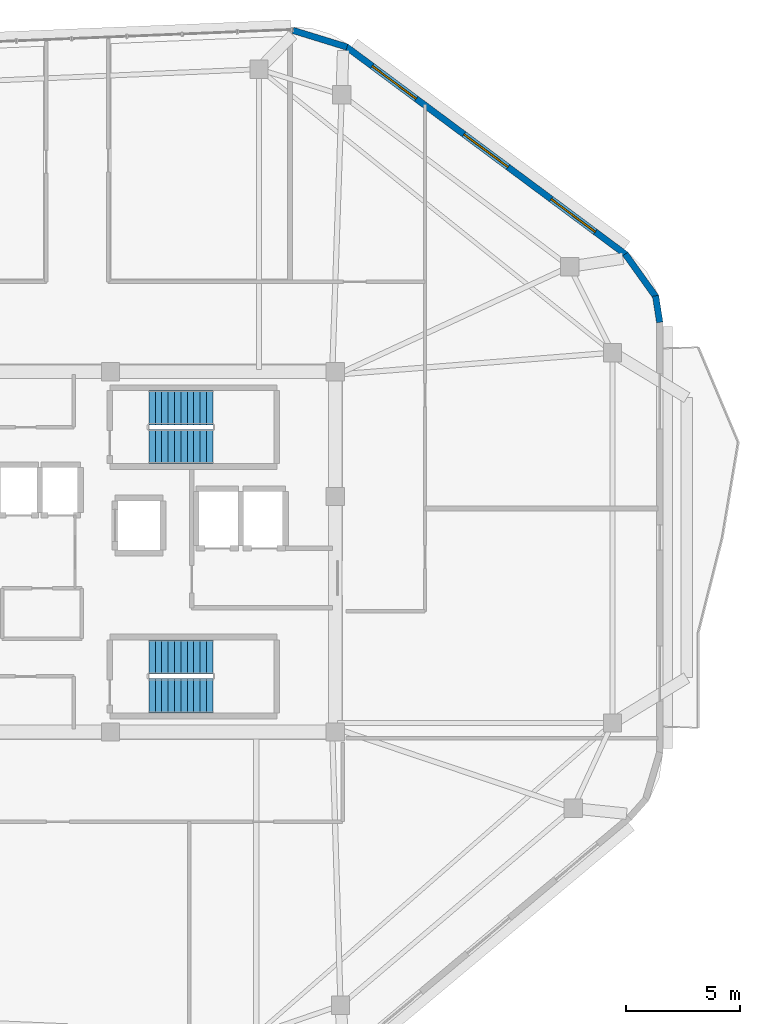
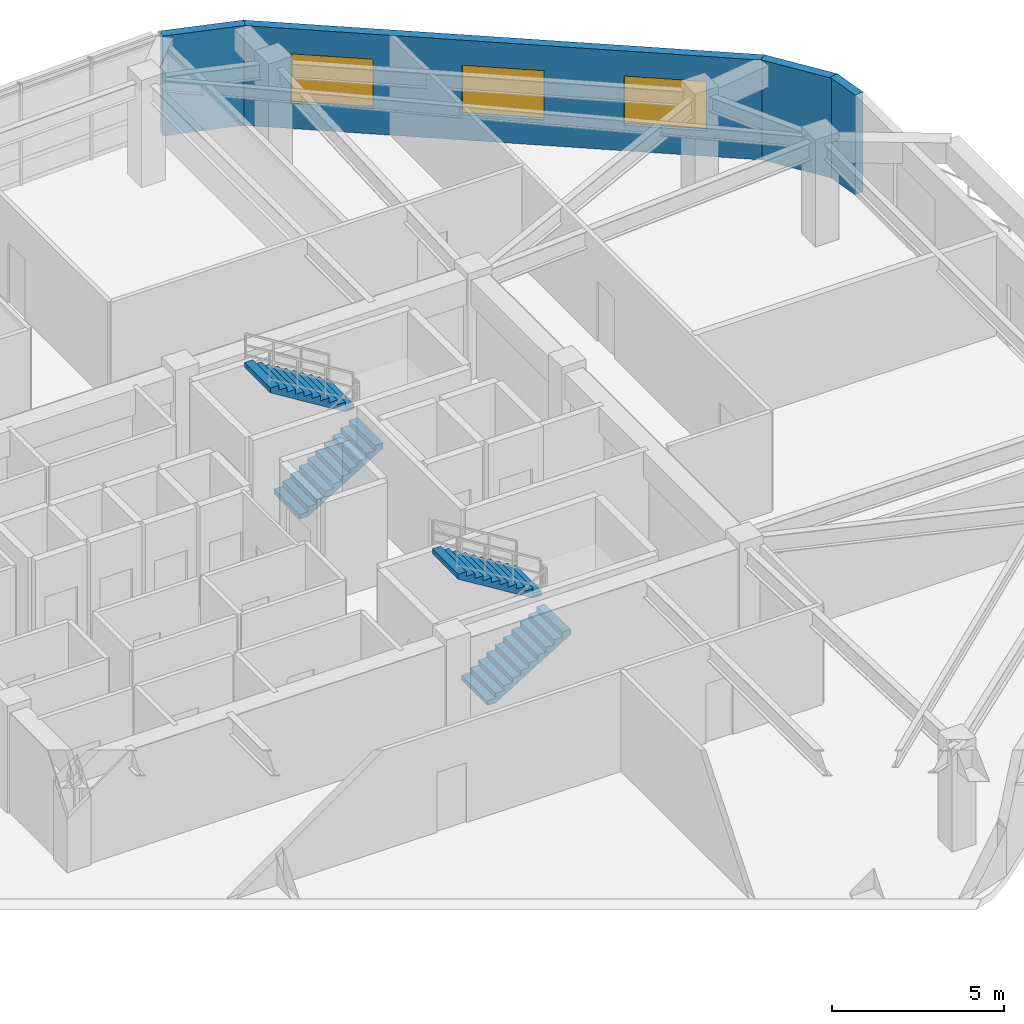
# One storey, part 9 of 12: 4 stair flights, 4 walls, 3 windows, 3 openings, 2 elements without a shape of their own.
"""IFC4 building model written with IfcOpenShell, lengths in metres."""

from ifc_helpers import new_model, si_unit, direction, frame, frame_2d, origin, place, context, subcontext, project, spatial, polyline, rectangle, outline, extrude, material, layer, layer_set, type_object, element, fill, aggregate, save


model = new_model("IFC4")

# Units and contexts
model_context = context("Model", 3, precision=1e-05, world=origin(), true_north=direction((0.0, 1.0)))
body_context = subcontext(model_context, "Body", "Model", "MODEL_VIEW")
ifc_project = project(units=[si_unit("LENGTHUNIT", "METRE"), si_unit("AREAUNIT", "SQUARE_METRE"), si_unit("VOLUMEUNIT", "CUBIC_METRE"), si_unit("PLANEANGLEUNIT", "RADIAN"), si_unit("MASSUNIT", "GRAM", prefix="KILO")], contexts=[model_context])

# Site, building, storey
site_placement = place(None, origin())
site = spatial("IfcSite", under=ifc_project, at=site_placement, CompositionType="ELEMENT")
building_placement = place(site_placement, origin())
building = spatial("IfcBuilding", under=site, at=building_placement, Name="Zulverin Broadcast Headquarters", CompositionType="ELEMENT")
storey_placement = place(building_placement, frame((0.0, 0.0, 289.60009765625)))
storey = spatial("IfcBuildingStorey", under=building, at=storey_placement, Name="L74", CompositionType="ELEMENT", Elevation=289.60009765625)

# Wall, openings, windows
ifc_material_1 = material(Name="Insulated pale-metal clad concrete spandrel C40/50", Category="concrete")
ifc_layer = layer(ifc_material_1, 0.280029296875, Name="Insulated pale-metal clad concrete spandrel C40/50", Category="concrete")
ifc_layer_set = layer_set([ifc_layer], Name="Insulated pale-metal clad concrete spandrel C40/50")
wall_type = type_object("IfcWallType", Name="WL-EXT-280", PredefinedType="STANDARD", material=ifc_layer_set)
wall_1_placement = place(storey_placement, frame((60.98388671875, 38.187255859375, 0.0), z_axis=(0.0, 0.0, 1.0), x_axis=(-0.802485144343, 0.596672098484, 0.0)))
wall_1 = element("IfcWall", 1, at=wall_1_placement, inside=storey, type_object=wall_type, Name="L74 Pale-Metal Clad Spandrel Wall 4", PredefinedType="STANDARD", context=body_context, shape_type="SweptSolid", body=[
    extrude(rectangle(XDim=15.247802734375, YDim=0.280029296875, at=frame_2d((7.6240234375, 0.0))), origin(), (0.0, 0.0, 1.0), 3.539794921875),
])
opening_1_placement = place(wall_1_placement, frame((1.674560546875, 0.0, 0.89990234375)))
opening_1 = element("IfcOpeningElement", 2, at=opening_1_placement, cuts=wall_1, Name="Opening W-L74-E41", PredefinedType="OPENING", context=body_context, shape_type="SweptSolid", body=[
    extrude(rectangle(XDim=2.39990234375, YDim=1.75, at=frame_2d((1.199951171875, 0.875))), frame((0.0, 0.14990234375, 0.0), z_axis=(0.0, -1.0, 0.0), x_axis=(1.0, 0.0, 0.0)), (0.0, 0.0, 1.0), 0.300048828125),
])
opening_2_placement = place(wall_1_placement, frame((6.423828125, 0.0, 0.89990234375)))
opening_2 = element("IfcOpeningElement", 3, at=opening_2_placement, cuts=wall_1, Name="Opening W-L74-E42", PredefinedType="OPENING", context=body_context, shape_type="SweptSolid", body=[
    extrude(rectangle(XDim=2.39990234375, YDim=1.75, at=frame_2d((1.199951171875, 0.875))), frame((0.0, 0.14990234375, 0.0), z_axis=(0.0, -1.0, 0.0), x_axis=(1.0, 0.0, 0.0)), (0.0, 0.0, 1.0), 0.300048828125),
])
opening_3_placement = place(wall_1_placement, frame((11.423095703125, 0.0, 0.89990234375)))
opening_3 = element("IfcOpeningElement", 4, at=opening_3_placement, cuts=wall_1, Name="Opening W-L74-E43", PredefinedType="OPENING", context=body_context, shape_type="SweptSolid", body=[
    extrude(rectangle(XDim=2.39990234375, YDim=1.75, at=frame_2d((1.199951171875, 0.875))), frame((0.0, 0.14990234375, 0.0), z_axis=(0.0, -1.0, 0.0), x_axis=(1.0, 0.0, 0.0)), (0.0, 0.0, 1.0), 0.300048828125),
])
ifc_material_2 = material(Name="Pale anodized aluminium frame with solar-control low-E double glazing", Category="aluminium")
window_type = type_object("IfcWindowType", Name="WIN-RIB-2400", PartitioningType="SINGLE_PANEL", PredefinedType="WINDOW", material=ifc_material_2)
window_1_placement = place(opening_1_placement, origin())
window_1 = element("IfcWindow", 5, at=window_1_placement, inside=storey, type_object=window_type, Name="L74 Ribbon Glazing Window 4 1", OverallHeight=1.75, OverallWidth=2.39990234375, PartitioningType="SINGLE_PANEL", PredefinedType="WINDOW", context=body_context, shape_type="SweptSolid", body=[
    extrude(rectangle(XDim=2.39990234375, YDim=1.75, at=frame_2d((1.199951171875, 0.875))), frame((0.0, 0.030029296875, 0.0), z_axis=(0.0, -1.0, 0.0), x_axis=(1.0, 0.0, 0.0)), (0.0, 0.0, 1.0), 0.06005859375),
])
fill(opening_1, window_1)
window_2_placement = place(opening_2_placement, origin())
window_2 = element("IfcWindow", 6, at=window_2_placement, inside=storey, type_object=window_type, Name="L74 Ribbon Glazing Window 4 2", OverallHeight=1.75, OverallWidth=2.39990234375, PartitioningType="SINGLE_PANEL", PredefinedType="WINDOW", context=body_context, shape_type="SweptSolid", body=[
    extrude(rectangle(XDim=2.39990234375, YDim=1.75, at=frame_2d((1.199951171875, 0.875))), frame((0.0, 0.030029296875, 0.0), z_axis=(0.0, -1.0, 0.0), x_axis=(1.0, 0.0, 0.0)), (0.0, 0.0, 1.0), 0.06005859375),
])
fill(opening_2, window_2)
window_3_placement = place(opening_3_placement, origin())
window_3 = element("IfcWindow", 7, at=window_3_placement, inside=storey, type_object=window_type, Name="L74 Ribbon Glazing Window 4 3", OverallHeight=1.75, OverallWidth=2.39990234375, PartitioningType="SINGLE_PANEL", PredefinedType="WINDOW", context=body_context, shape_type="SweptSolid", body=[
    extrude(rectangle(XDim=2.39990234375, YDim=1.75, at=frame_2d((1.199951171875, 0.875))), frame((0.0, 0.030029296875, 0.0), z_axis=(0.0, -1.0, 0.0), x_axis=(1.0, 0.0, 0.0)), (0.0, 0.0, 1.0), 0.06005859375),
])
fill(opening_3, window_3)

# Walls
wall_2_placement = place(storey_placement, frame((62.461669921875, 35.228515625, 0.0), z_axis=(0.0, 0.0, 1.0), x_axis=(-0.15458604025, 0.987979329824, 0.0)))
element("IfcWall", 8, at=wall_2_placement, inside=storey, type_object=wall_type, Name="L74 Wind-Shaped Corner Spandrel Wall 3-1", PredefinedType="STANDARD", context=body_context, shape_type="SweptSolid", body=[
    extrude(rectangle(XDim=1.175048828125, YDim=0.280029296875, at=frame_2d((0.58740234375, 0.0))), origin(), (0.0, 0.0, 1.0), 3.539794921875),
])
wall_3_placement = place(storey_placement, frame((62.304443359375, 36.32958984375, 0.0), z_axis=(0.0, 0.0, 1.0), x_axis=(-0.581795068472, 0.81333541562, 0.0)))
element("IfcWall", 9, at=wall_3_placement, inside=storey, type_object=wall_type, Name="L74 Wind-Shaped Corner Spandrel Wall 3-2", PredefinedType="STANDARD", context=body_context, shape_type="SweptSolid", body=[
    extrude(rectangle(XDim=2.32177734375, YDim=0.280029296875, at=frame_2d((1.160888671875, 0.0))), origin(), (0.0, 0.0, 1.0), 3.539794921875),
])
wall_4_placement = place(storey_placement, frame((48.7900390625, 47.263671875, 0.0), z_axis=(0.0, 0.0, 1.0), x_axis=(-0.955575823363, 0.294745391489, 0.0)))
element("IfcWall", 10, at=wall_4_placement, inside=storey, type_object=wall_type, Name="L74 Wind-Shaped Corner Spandrel Wall 4-1", PredefinedType="STANDARD", context=body_context, shape_type="SweptSolid", body=[
    extrude(rectangle(XDim=2.470947265625, YDim=0.280029296875, at=frame_2d((1.2353515625, 0.0))), origin(), (0.0, 0.0, 1.0), 3.539794921875),
])

# Stair, stair flights
ifc_material_3 = material(Name="Concrete C40/50", Category="concrete")
stair_type = type_object("IfcStairType", Name="ST-CORE-1500", PredefinedType="HALF_TURN_STAIR", material=ifc_material_3)
stair_1_placement = place(storey_placement, origin())
stair_1 = element("IfcStair", 11, at=stair_1_placement, inside=storey, type_object=stair_type, Name="L74 Core Exit Stair ST-1", PredefinedType="HALF_TURN_STAIR")
stair_flight_type = type_object("IfcStairFlightType", Name="SF-CORE-1500", PredefinedType="STRAIGHT", material=ifc_material_3)
stair_flight_1_placement = place(storey_placement, frame((40.1298828125, 29.800048828125, 0.0), z_axis=(0.0, 0.0, 1.0), x_axis=(1.0, 0.0, 0.0)))
stair_flight_1 = element("IfcStairFlight", 12, at=stair_flight_1_placement, type_object=stair_flight_type, Name="ST-1 flight 1", NumberOfRisers=11, NumberOfTreads=10, PredefinedType="STRAIGHT", RiserHeight=0.172727273, TreadLength=0.28, context=body_context, shape_type="SweptSolid", body=[
    extrude(outline(polyline([(0.0, 0.0), (0.0, 0.172607421875), (0.280029296875, 0.172607421875), (0.280029296875, 0.345458984375), (0.56005859375, 0.345458984375), (0.56005859375, 0.51806640625), (0.840087890625, 0.51806640625), (0.840087890625, 0.69091796875), (1.1201171875, 0.69091796875), (1.1201171875, 0.863525390625), (1.39990234375, 0.863525390625), (1.39990234375, 1.036376953125), (1.679931640625, 1.036376953125), (1.679931640625, 1.208984375), (1.9599609375, 1.208984375), (1.9599609375, 1.3818359375), (2.239990234375, 1.3818359375), (2.239990234375, 1.554443359375), (2.52001953125, 1.554443359375), (2.52001953125, 1.727294921875), (2.800048828125, 1.727294921875), (2.800048828125, 1.89990234375), (2.800048828125, 1.551025390625), (0.285400390625, 0.0), (0.0, 0.0)])), frame((0.0, 0.75, 0.0), z_axis=(0.0, -1.0, 0.0), x_axis=(1.0, 0.0, 0.0)), (0.0, 0.0, 1.0), 1.5),
])
stair_flight_2_placement = place(storey_placement, frame((42.929931640625, 31.5, 1.89990234375), z_axis=(0.0, 0.0, 1.0), x_axis=(-1.0, 0.0, 0.0)))
stair_flight_2 = element("IfcStairFlight", 13, at=stair_flight_2_placement, type_object=stair_flight_type, Name="ST-1 flight 2", NumberOfRisers=11, NumberOfTreads=10, PredefinedType="STRAIGHT", RiserHeight=0.172727273, TreadLength=0.28, context=body_context, shape_type="SweptSolid", body=[
    extrude(outline(polyline([(0.0, 0.0), (0.0, 0.172607421875), (0.280029296875, 0.172607421875), (0.280029296875, 0.345458984375), (0.56005859375, 0.345458984375), (0.56005859375, 0.51806640625), (0.840087890625, 0.51806640625), (0.840087890625, 0.69091796875), (1.1201171875, 0.69091796875), (1.1201171875, 0.863525390625), (1.39990234375, 0.863525390625), (1.39990234375, 1.036376953125), (1.679931640625, 1.036376953125), (1.679931640625, 1.208984375), (1.9599609375, 1.208984375), (1.9599609375, 1.3818359375), (2.239990234375, 1.3818359375), (2.239990234375, 1.554443359375), (2.52001953125, 1.554443359375), (2.52001953125, 1.727294921875), (2.800048828125, 1.727294921875), (2.800048828125, 1.89990234375), (2.800048828125, 1.551025390625), (0.285400390625, 0.0), (0.0, 0.0)])), frame((0.0, 0.75, 0.0), z_axis=(0.0, -1.0, 0.0), x_axis=(1.0, 0.0, 0.0)), (0.0, 0.0, 1.0), 1.5),
])
aggregate(stair_1, [stair_flight_1, stair_flight_2])

stair_2_placement = place(storey_placement, origin())
stair_2 = element("IfcStair", 14, at=stair_2_placement, inside=storey, type_object=stair_type, Name="L74 Core Exit Stair ST-2", PredefinedType="HALF_TURN_STAIR")
stair_flight_3_placement = place(storey_placement, frame((40.1298828125, 18.89990234375, 0.0), z_axis=(0.0, 0.0, 1.0), x_axis=(1.0, 0.0, 0.0)))
stair_flight_3 = element("IfcStairFlight", 15, at=stair_flight_3_placement, type_object=stair_flight_type, Name="ST-2 flight 1", NumberOfRisers=11, NumberOfTreads=10, PredefinedType="STRAIGHT", RiserHeight=0.172727273, TreadLength=0.28, context=body_context, shape_type="SweptSolid", body=[
    extrude(outline(polyline([(0.0, 0.0), (0.0, 0.172607421875), (0.280029296875, 0.172607421875), (0.280029296875, 0.345458984375), (0.56005859375, 0.345458984375), (0.56005859375, 0.51806640625), (0.840087890625, 0.51806640625), (0.840087890625, 0.69091796875), (1.1201171875, 0.69091796875), (1.1201171875, 0.863525390625), (1.39990234375, 0.863525390625), (1.39990234375, 1.036376953125), (1.679931640625, 1.036376953125), (1.679931640625, 1.208984375), (1.9599609375, 1.208984375), (1.9599609375, 1.3818359375), (2.239990234375, 1.3818359375), (2.239990234375, 1.554443359375), (2.52001953125, 1.554443359375), (2.52001953125, 1.727294921875), (2.800048828125, 1.727294921875), (2.800048828125, 1.89990234375), (2.800048828125, 1.551025390625), (0.285400390625, 0.0), (0.0, 0.0)])), frame((0.0, 0.75, 0.0), z_axis=(0.0, -1.0, 0.0), x_axis=(1.0, 0.0, 0.0)), (0.0, 0.0, 1.0), 1.5),
])
stair_flight_4_placement = place(storey_placement, frame((42.929931640625, 20.60009765625, 1.89990234375), z_axis=(0.0, 0.0, 1.0), x_axis=(-1.0, 0.0, 0.0)))
stair_flight_4 = element("IfcStairFlight", 16, at=stair_flight_4_placement, type_object=stair_flight_type, Name="ST-2 flight 2", NumberOfRisers=11, NumberOfTreads=10, PredefinedType="STRAIGHT", RiserHeight=0.172727273, TreadLength=0.28, context=body_context, shape_type="SweptSolid", body=[
    extrude(outline(polyline([(0.0, 0.0), (0.0, 0.172607421875), (0.280029296875, 0.172607421875), (0.280029296875, 0.345458984375), (0.56005859375, 0.345458984375), (0.56005859375, 0.51806640625), (0.840087890625, 0.51806640625), (0.840087890625, 0.69091796875), (1.1201171875, 0.69091796875), (1.1201171875, 0.863525390625), (1.39990234375, 0.863525390625), (1.39990234375, 1.036376953125), (1.679931640625, 1.036376953125), (1.679931640625, 1.208984375), (1.9599609375, 1.208984375), (1.9599609375, 1.3818359375), (2.239990234375, 1.3818359375), (2.239990234375, 1.554443359375), (2.52001953125, 1.554443359375), (2.52001953125, 1.727294921875), (2.800048828125, 1.727294921875), (2.800048828125, 1.89990234375), (2.800048828125, 1.551025390625), (0.285400390625, 0.0), (0.0, 0.0)])), frame((0.0, 0.75, 0.0), z_axis=(0.0, -1.0, 0.0), x_axis=(1.0, 0.0, 0.0)), (0.0, 0.0, 1.0), 1.5),
])
aggregate(stair_2, [stair_flight_3, stair_flight_4])

save(model, "model.ifc")
